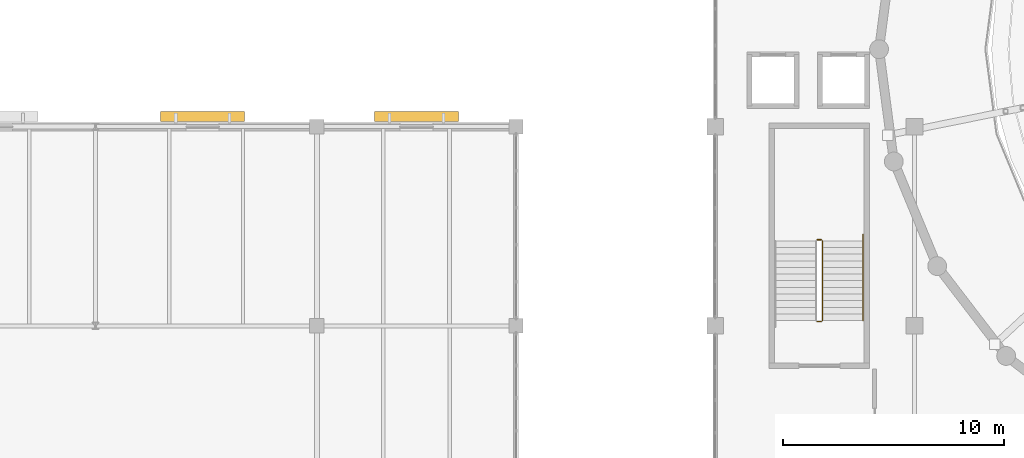
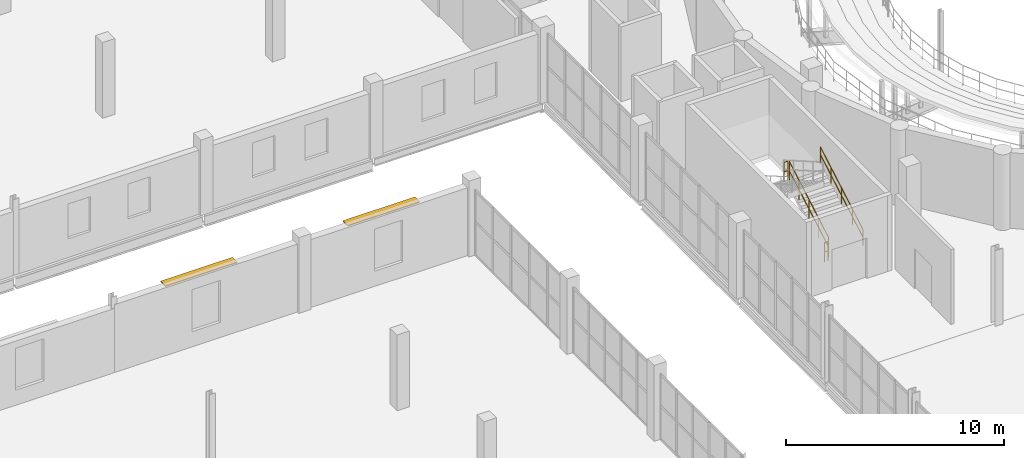
# One storey, part 76 of 85: 4 railings, 2 shading devices.
"""IFC4 building model written with IfcOpenShell, lengths in metres."""

import ifcopenshell
import ifcopenshell.guid

model = None  # the IFC model being written
_history = None  # IfcOwnerHistory: only IFC2X3 demands one
_inside = {}  # id of a spatial element -> (the spatial element, [elements in it])
_under = {}  # id of a project, library or spatial element -> (it, [spatial elements below it])
_declared = {}  # id of a project -> (the project, [libraries it declares])
_typed = {}  # id of a type object -> (the type object, [elements of that type])
_made_of = {}  # id of a material, layer set ... -> (it, [elements and type objects made of it])


def new_model(schema):
    """Start an empty IFC model of exactly this schema.

    Asked for "IFC4X3", IfcOpenShell would pick the latest addendum, in which some entities
    have other attributes; the version numbers below select the first issue.
    IFC2X3 requires an IfcOwnerHistory on every rooted entity: one is made here for all.
    """
    global model, _history
    if schema == "IFC4X3":
        model = ifcopenshell.file(schema_version=(4, 3, 0, 0))
    else:
        model = ifcopenshell.file(schema=schema)
    _inside.clear()
    _under.clear()
    _declared.clear()
    _typed.clear()
    _made_of.clear()
    _history = None
    if model.schema == "IFC2X3":
        org = make("IfcOrganization", Name="unknown")
        user = make(
            "IfcPersonAndOrganization",
            ThePerson=make("IfcPerson", FamilyName="unknown"),
            TheOrganization=org,
        )
        app = make(
            "IfcApplication",
            ApplicationDeveloper=org,
            Version="unknown",
            ApplicationFullName="unknown",
            ApplicationIdentifier="unknown",
        )
        _history = make(
            "IfcOwnerHistory",
            OwningUser=user,
            OwningApplication=app,
            ChangeAction="ADDED",
            CreationDate=0,
        )
    return model


def make(cls, **values):
    """One entity of the class cls with the attributes given. An attribute that is None is left unset."""
    return model.create_entity(
        cls, **{name: value for name, value in values.items() if value is not None}
    )


def rooted(cls, **values):
    """An entity with a GlobalId (a new one), such as an element, a storey or a relation."""
    return make(cls, GlobalId=ifcopenshell.guid.new(), OwnerHistory=_history, **values)


def si_unit(unit_type, name, prefix=None):
    """IfcSIUnit, for example si_unit("LENGTHUNIT", "METRE", prefix="MILLI")."""
    return make("IfcSIUnit", UnitType=unit_type, Prefix=prefix, Name=name)


def assignment(units):
    """IfcUnitAssignment: the units of a project."""
    return None if units is None else make("IfcUnitAssignment", Units=units)


def point(xyz):
    """IfcCartesianPoint."""
    return None if xyz is None else make("IfcCartesianPoint", Coordinates=xyz)


def direction(xyz):
    """IfcDirection."""
    return None if xyz is None else make("IfcDirection", DirectionRatios=xyz)


def frame(location, z_axis=None, x_axis=None):
    """IfcAxis2Placement3D, a coordinate frame: its origin and axes. An axis left out is left unset."""
    return make(
        "IfcAxis2Placement3D",
        Location=point(location),
        Axis=direction(z_axis),
        RefDirection=direction(x_axis),
    )


def frame_2d(location, x_axis=None):
    """IfcAxis2Placement2D, a coordinate frame in the plane: its origin and x axis."""
    return make(
        "IfcAxis2Placement2D", Location=point(location), RefDirection=direction(x_axis)
    )


def origin():
    """The frame at (0, 0, 0) with its axes left unset."""
    return frame((0.0, 0.0, 0.0))


def origin_2d():
    """The frame at (0, 0) in the plane with its x axis left unset."""
    return frame_2d((0.0, 0.0))


def place(relative_to, where):
    """IfcLocalPlacement: puts the frame where relative to a parent placement (None: the world)."""
    return make(
        "IfcLocalPlacement", PlacementRelTo=relative_to, RelativePlacement=where
    )


def context(
    kind, dimensions, precision=None, world=None, true_north=None, identifier=None
):
    """IfcGeometricRepresentationContext, for example the 3D "Model" context."""
    return make(
        "IfcGeometricRepresentationContext",
        ContextIdentifier=identifier,
        ContextType=kind,
        CoordinateSpaceDimension=dimensions,
        Precision=precision,
        WorldCoordinateSystem=world,
        TrueNorth=true_north,
    )


def subcontext(parent, identifier, kind, view, scale=None):
    """IfcGeometricRepresentationSubContext, for example "Body" below "Model"."""
    return make(
        "IfcGeometricRepresentationSubContext",
        ContextIdentifier=identifier,
        ContextType=kind,
        ParentContext=parent,
        TargetScale=scale,
        TargetView=view,
    )


def project(units=None, contexts=None):
    """IfcProject with its units and contexts."""
    return rooted(
        "IfcProject",
        Name="project",
        RepresentationContexts=contexts,
        UnitsInContext=assignment(units),
    )


def spatial(cls, under=None, at=None, **own):
    """A site, building, storey or space (cls), placed at a placement, below another one or the project."""
    s = rooted(cls, ObjectPlacement=at, **own)
    if under is not None:
        _under.setdefault(under.id(), (under, []))[1].append(s)
    return s


def profile(cls, at=None, kind="AREA", **sizes):
    """A parametric profile (cls). Its sizes go by their IFC names, for example OverallWidth=200.0."""
    return make(cls, ProfileType=kind, Position=at, **sizes)


def rectangle(**sizes):
    """IfcRectangleProfileDef."""
    return profile("IfcRectangleProfileDef", **sizes)


def circle(**sizes):
    """IfcCircleProfileDef."""
    return profile("IfcCircleProfileDef", **sizes)


def extrude(swept, where, along, depth):
    """IfcExtrudedAreaSolid: the profile swept, set in the frame where, extruded along a direction by depth."""
    return make(
        "IfcExtrudedAreaSolid",
        SweptArea=swept,
        Position=where,
        ExtrudedDirection=direction(along),
        Depth=depth,
    )


def shape(context_of_items, identifier, shape_type, items):
    """IfcShapeRepresentation: the items that make up one representation, for example the "Body"."""
    return make(
        "IfcShapeRepresentation",
        ContextOfItems=context_of_items,
        RepresentationIdentifier=identifier,
        RepresentationType=shape_type,
        Items=items,
    )


def material(Name=None, Category=None):
    """IfcMaterial."""
    return make("IfcMaterial", Name=Name, Category=Category)


def layer(
    of_material, thickness, ventilated=None, Name=None, Category=None, Priority=None
):
    """IfcMaterialLayer: one layer of a wall or slab, of a material (None: an air gap)."""
    return make(
        "IfcMaterialLayer",
        Material=of_material,
        LayerThickness=thickness,
        IsVentilated=ventilated,
        Name=Name,
        Category=Category,
        Priority=Priority,
    )


def layer_set(layers, Name=None):
    """IfcMaterialLayerSet."""
    return make("IfcMaterialLayerSet", MaterialLayers=layers, LayerSetName=Name)


def made_of(thing, what):
    """Note that an element or type object is made of a material, layer set ...; save() writes the relation."""
    if what is not None:
        _made_of.setdefault(what.id(), (what, []))[1].append(thing)
    return thing


def type_object(cls, material=None, **own):
    """A type object (cls), such as IfcWallType, which elements share."""
    return made_of(rooted(cls, **own), material)


def element(
    cls,
    number,
    at=None,
    inside=None,
    cuts=None,
    type_object=None,
    material=None,
    context=None,
    identifier="Body",
    shape_type=None,
    held_by="IfcProductDefinitionShape",
    body=None,
    shapes=None,
    **own,
):
    """One element of the class cls, such as IfcWall. Its Tag is "e" and its number.

    at: its placement. inside: the storey or other place that contains it. cuts: it is an
    opening in that element (IfcRelVoidsElement). A single representation is given by context,
    identifier, shape_type and body (its items); several are given by shapes. held_by: the class
    of the entity that holds the representations. save() writes the other relations.
    """
    e = rooted(cls, Tag="e%d" % number, ObjectPlacement=at, **own)
    if body is not None:
        shapes = [shape(context, identifier, shape_type, body)]
    if shapes is not None:
        e.Representation = make(held_by, Representations=shapes)
    if inside is not None:
        _inside.setdefault(inside.id(), (inside, []))[1].append(e)
    if cuts is not None:
        rooted(
            "IfcRelVoidsElement", RelatingBuildingElement=cuts, RelatedOpeningElement=e
        )
    if type_object is not None:
        _typed.setdefault(type_object.id(), (type_object, []))[1].append(e)
    return made_of(e, material)


def aggregate(whole, parts):
    """IfcRelAggregates: a whole, such as a stair, and the parts it consists of."""
    return rooted("IfcRelAggregates", RelatingObject=whole, RelatedObjects=parts)


def save(model, path):
    """Write the relations noted so far, then the file.

    IfcRelAggregates (storeys below a building ...), IfcRelContainedInSpatialStructure (elements
    in a storey), IfcRelDefinesByType, IfcRelAssociatesMaterial and IfcRelDeclares: one each for
    every whole, place, type object, material and project.
    """
    for whole, parts in _under.values():
        aggregate(whole, parts)
    for where, things in _inside.values():
        rooted(
            "IfcRelContainedInSpatialStructure",
            RelatedElements=things,
            RelatingStructure=where,
        )
    for kind, things in _typed.values():
        rooted("IfcRelDefinesByType", RelatedObjects=things, RelatingType=kind)
    for what, things in _made_of.values():
        rooted("IfcRelAssociatesMaterial", RelatedObjects=things, RelatingMaterial=what)
    for by, libraries in _declared.values():
        rooted("IfcRelDeclares", RelatingContext=by, RelatedDefinitions=libraries)
    model.write(path)


model = new_model("IFC4")

# Units and contexts
model_context = context("Model", 3, precision=1e-05, world=origin(), true_north=direction((0.0, 1.0)))
body_context = subcontext(model_context, "Body", "Model", "MODEL_VIEW")
ifc_project = project(units=[si_unit("LENGTHUNIT", "METRE"), si_unit("AREAUNIT", "SQUARE_METRE"), si_unit("VOLUMEUNIT", "CUBIC_METRE"), si_unit("PLANEANGLEUNIT", "RADIAN"), si_unit("MASSUNIT", "GRAM", prefix="KILO")], contexts=[model_context])

# Site, building, storey
site_placement = place(None, origin())
site = spatial("IfcSite", under=ifc_project, at=site_placement, CompositionType="ELEMENT")
building_placement = place(site_placement, origin())
building = spatial("IfcBuilding", under=site, at=building_placement, Name="Marnock Terrace Opera House", CompositionType="ELEMENT")
storey_placement = place(building_placement, frame((0.0, 0.0, 10.199951171875)))
storey = spatial("IfcBuildingStorey", under=building, at=storey_placement, Name="L02", CompositionType="ELEMENT", Elevation=10.199951171875)

# Railings
ifc_material_1 = material(Name="Architectural bronze balustrade")
railing_type_1 = type_object("IfcRailingType", Name="RL-GUARD-1100", PredefinedType="GUARDRAIL", material=ifc_material_1)
railing_1_placement = place(storey_placement, frame((59.85009765625, 48.239990234375, 0.173095703125)))
element("IfcRailing", 1, at=railing_1_placement, inside=storey, type_object=railing_type_1, Name="L02 ST-01 stair guard 1", PredefinedType="GUARDRAIL", context=body_context, shape_type="SweptSolid", body=[
    extrude(circle(Radius=0.02392578125, at=origin_2d()), frame((0.0, 0.0, 1.076171875), z_axis=(0.0, 0.866193409371, 0.499708892819), x_axis=(-1.0, 0.0, 0.0)), (0.0, 0.0, 1.0), 4.15625),
    extrude(circle(Radius=0.02392578125, at=origin_2d()), frame((0.0, 0.0, 0.550048828125), z_axis=(0.0, 0.866193409371, 0.499708892819), x_axis=(-1.0, 0.0, 0.0)), (0.0, 0.0, 1.0), 4.15625),
    extrude(circle(Radius=0.02099609375, at=origin_2d()), origin(), (0.0, 0.0, 1.0), 1.052001953125),
    extrude(circle(Radius=0.02099609375, at=origin_2d()), frame((0.0, 0.89990234375, 0.519287109375)), (0.0, 0.0, 1.0), 1.052001953125),
    extrude(circle(Radius=0.02099609375, at=origin_2d()), frame((0.0, 1.800048828125, 1.03857421875)), (0.0, 0.0, 1.0), 1.052001953125),
    extrude(circle(Radius=0.02099609375, at=origin_2d()), frame((0.0, 2.7001953125, 1.5576171875)), (0.0, 0.0, 1.0), 1.052001953125),
    extrude(circle(Radius=0.02099609375, at=origin_2d()), frame((0.0, 3.60009765625, 2.076904296875)), (0.0, 0.0, 1.0), 1.052001953125),
])
for number, where, name in (
    (2, (59.800048828125, 51.889892578125, 2.25), "L02 ST-01 stair guard 2"),
    (3, (59.800048828125, 48.18994140625, 0.0), "L02 ST-01 stair guard 4"),
):
    element("IfcRailing", number, at=place(storey_placement, frame(where)), inside=storey, type_object=railing_type_1, Name=name, PredefinedType="GUARDRAIL", context=body_context, shape_type="SweptSolid", body=[
        extrude(circle(Radius=0.02392578125, at=origin_2d()), frame((0.0, 0.0, 1.076171875), z_axis=(-1.0, 0.0, 0.0), x_axis=(0.0, -1.0, 0.0)), (0.0, 0.0, 1.0), 0.199951171875),
        extrude(circle(Radius=0.02392578125, at=origin_2d()), frame((0.0, 0.0, 0.550048828125), z_axis=(-1.0, 0.0, 0.0), x_axis=(0.0, -1.0, 0.0)), (0.0, 0.0, 1.0), 0.199951171875),
        extrude(circle(Radius=0.02099609375, at=origin_2d()), origin(), (0.0, 0.0, 1.0), 1.052001953125),
        extrude(circle(Radius=0.02099609375, at=origin_2d()), frame((-0.199951171875, 0.0, 0.0)), (0.0, 0.0, 1.0), 1.052001953125),
    ])
railing_type_2 = type_object("IfcRailingType", Name="RL-HAND-900", PredefinedType="HANDRAIL", material=ifc_material_1)
railing_2_placement = place(storey_placement, frame((61.669921875, 48.239990234375, 0.18505859375)))
element("IfcRailing", 4, at=railing_2_placement, inside=storey, type_object=railing_type_2, Name="L02 ST-01 stair handrail 1", PredefinedType="HANDRAIL", context=body_context, shape_type="SweptSolid", body=[
    extrude(circle(Radius=0.02392578125, at=origin_2d()), frame((0.0, 0.0, 0.8759765625), z_axis=(0.0, 0.866180169578, 0.49973184192), x_axis=(-1.0, 0.0, 0.0)), (0.0, 0.0, 1.0), 4.50244140625),
    extrude(circle(Radius=0.02392578125, at=origin_2d()), frame((0.0, 0.0, 0.449951171875), z_axis=(0.0, 0.866180169578, 0.49973184192), x_axis=(-1.0, 0.0, 0.0)), (0.0, 0.0, 1.0), 4.50244140625),
    extrude(circle(Radius=0.02099609375, at=origin_2d()), origin(), (0.0, 0.0, 1.0), 0.851806640625),
    extrude(circle(Radius=0.02099609375, at=origin_2d()), frame((0.0, 0.97509765625, 0.5625)), (0.0, 0.0, 1.0), 0.851806640625),
    extrude(circle(Radius=0.02099609375, at=origin_2d()), frame((0.0, 1.949951171875, 1.125)), (0.0, 0.0, 1.0), 0.851806640625),
    extrude(circle(Radius=0.02099609375, at=origin_2d()), frame((0.0, 2.9248046875, 1.6875)), (0.0, 0.0, 1.0), 0.851806640625),
    extrude(circle(Radius=0.02099609375, at=origin_2d()), frame((0.0, 3.89990234375, 2.25)), (0.0, 0.0, 1.0), 0.851806640625),
])

# Shading devices
ifc_material_2 = material(Name="Architectural cast bronze")
ifc_layer = layer(ifc_material_2, 0.054931640625)
ifc_layer_set = layer_set([ifc_layer], Name="Architectural cast bronze")
shading_device_type = type_object("IfcShadingDeviceType", Name="SHD-LOUVRE-3800", PredefinedType="JALOUSIE", material=ifc_layer_set)
for number, where, z_axis, x_axis, name in (
    (5, (31.839599609375, 57.465087890625, 3.5), (0.0, 0.0, 1.0), (1.0, 0.0, 0.0), "Adelaide sun-control bronze brise-soleil EW-V3N-L02-4"),
    (6, (41.5, 57.465087890625, 3.5), (0.0, 0.0, 1.0), (1.0, 0.0, 0.0), "Adelaide sun-control bronze brise-soleil EW-V3N-L02-5"),
):
    element("IfcShadingDevice", number, at=place(storey_placement, frame(where, z_axis=z_axis, x_axis=x_axis)), inside=storey, type_object=shading_device_type, Name=name, PredefinedType="JALOUSIE", context=body_context, shape_type="SweptSolid", body=[
        extrude(rectangle(XDim=3.800048828125, YDim=0.449951171875, at=origin_2d()), origin(), (0.0, 0.0, 1.0), 0.054931640625),
    ])

save(model, "model.ifc")
